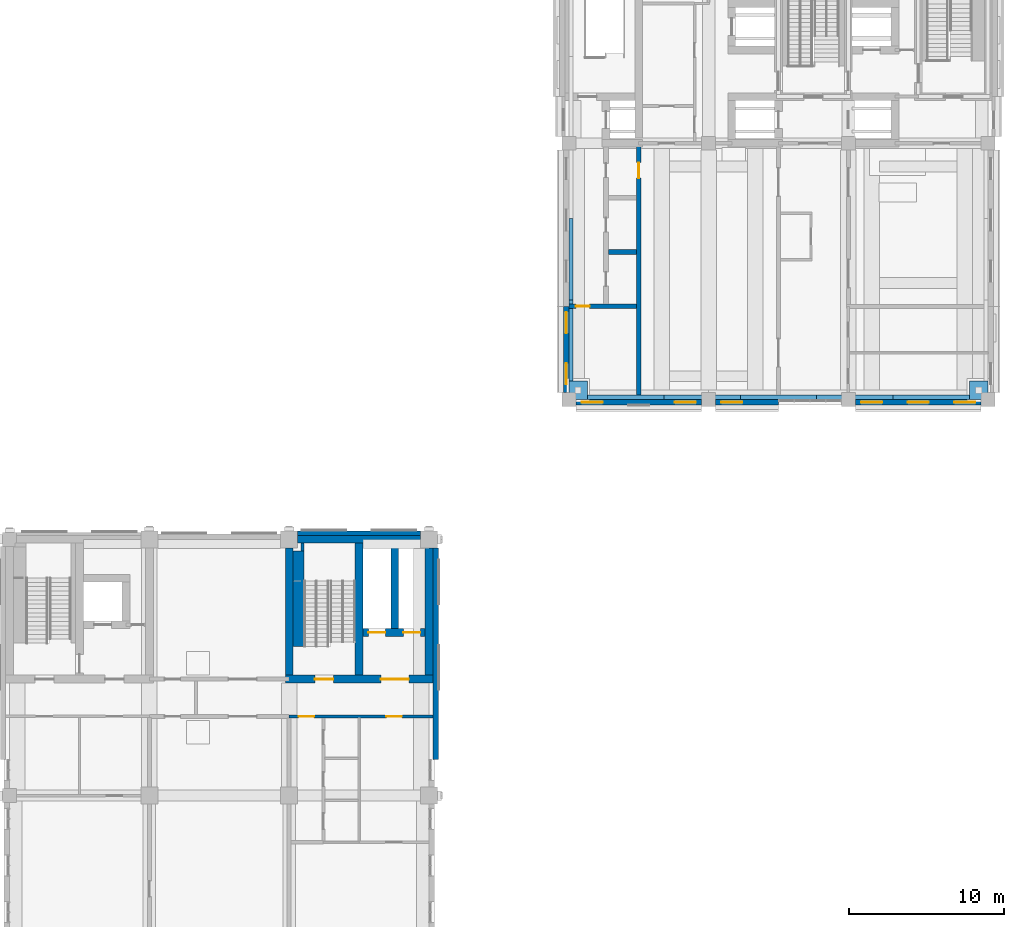
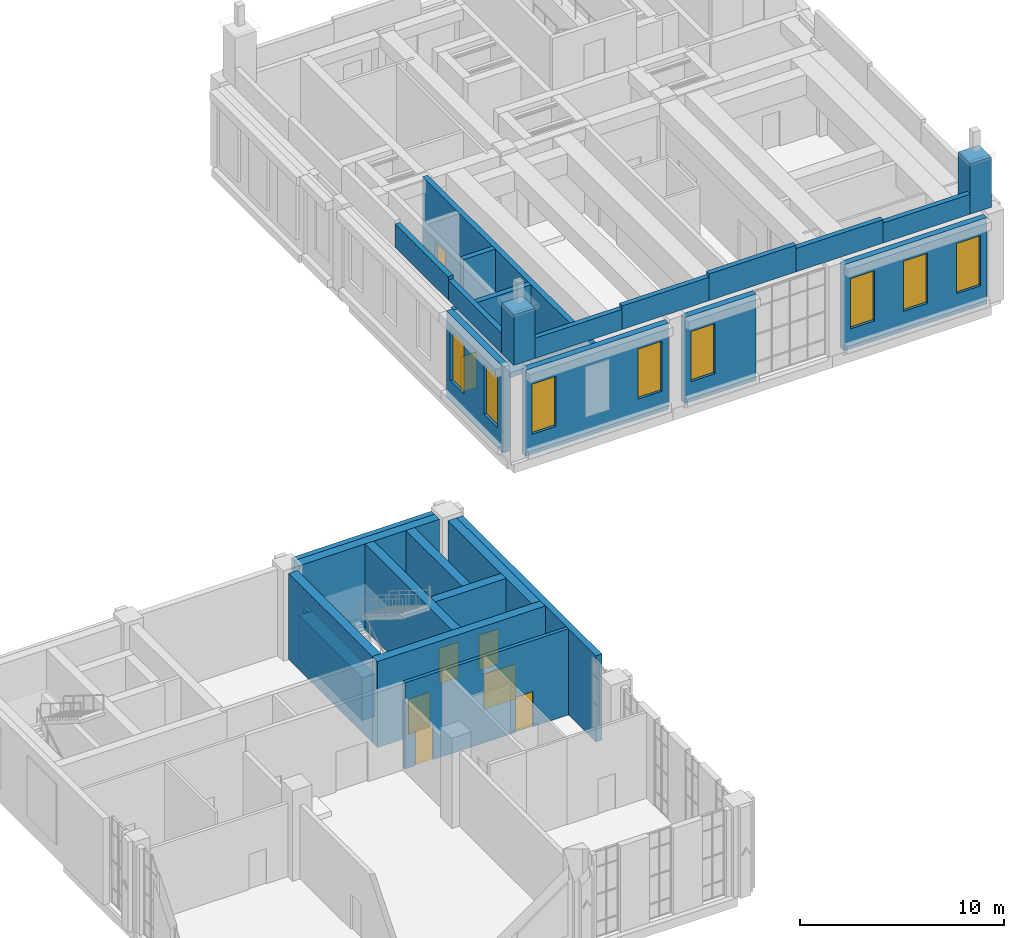
# One storey, part 14 of 22: 28 walls, 8 doors, 8 windows, 16 openings.
"""IFC4 building model written with IfcOpenShell, lengths in metres."""

import ifcopenshell
import ifcopenshell.guid

model = None  # the IFC model being written
_history = None  # IfcOwnerHistory: only IFC2X3 demands one
_inside = {}  # id of a spatial element -> (the spatial element, [elements in it])
_under = {}  # id of a project, library or spatial element -> (it, [spatial elements below it])
_declared = {}  # id of a project -> (the project, [libraries it declares])
_typed = {}  # id of a type object -> (the type object, [elements of that type])
_made_of = {}  # id of a material, layer set ... -> (it, [elements and type objects made of it])


def new_model(schema):
    """Start an empty IFC model of exactly this schema.

    Asked for "IFC4X3", IfcOpenShell would pick the latest addendum, in which some entities
    have other attributes; the version numbers below select the first issue.
    IFC2X3 requires an IfcOwnerHistory on every rooted entity: one is made here for all.
    """
    global model, _history
    if schema == "IFC4X3":
        model = ifcopenshell.file(schema_version=(4, 3, 0, 0))
    else:
        model = ifcopenshell.file(schema=schema)
    _inside.clear()
    _under.clear()
    _declared.clear()
    _typed.clear()
    _made_of.clear()
    _history = None
    if model.schema == "IFC2X3":
        org = make("IfcOrganization", Name="unknown")
        user = make(
            "IfcPersonAndOrganization",
            ThePerson=make("IfcPerson", FamilyName="unknown"),
            TheOrganization=org,
        )
        app = make(
            "IfcApplication",
            ApplicationDeveloper=org,
            Version="unknown",
            ApplicationFullName="unknown",
            ApplicationIdentifier="unknown",
        )
        _history = make(
            "IfcOwnerHistory",
            OwningUser=user,
            OwningApplication=app,
            ChangeAction="ADDED",
            CreationDate=0,
        )
    return model


def make(cls, **values):
    """One entity of the class cls with the attributes given. An attribute that is None is left unset."""
    return model.create_entity(
        cls, **{name: value for name, value in values.items() if value is not None}
    )


def rooted(cls, **values):
    """An entity with a GlobalId (a new one), such as an element, a storey or a relation."""
    return make(cls, GlobalId=ifcopenshell.guid.new(), OwnerHistory=_history, **values)


def si_unit(unit_type, name, prefix=None):
    """IfcSIUnit, for example si_unit("LENGTHUNIT", "METRE", prefix="MILLI")."""
    return make("IfcSIUnit", UnitType=unit_type, Prefix=prefix, Name=name)


def assignment(units):
    """IfcUnitAssignment: the units of a project."""
    return None if units is None else make("IfcUnitAssignment", Units=units)


def point(xyz):
    """IfcCartesianPoint."""
    return None if xyz is None else make("IfcCartesianPoint", Coordinates=xyz)


def direction(xyz):
    """IfcDirection."""
    return None if xyz is None else make("IfcDirection", DirectionRatios=xyz)


def frame(location, z_axis=None, x_axis=None):
    """IfcAxis2Placement3D, a coordinate frame: its origin and axes. An axis left out is left unset."""
    return make(
        "IfcAxis2Placement3D",
        Location=point(location),
        Axis=direction(z_axis),
        RefDirection=direction(x_axis),
    )


def frame_2d(location, x_axis=None):
    """IfcAxis2Placement2D, a coordinate frame in the plane: its origin and x axis."""
    return make(
        "IfcAxis2Placement2D", Location=point(location), RefDirection=direction(x_axis)
    )


def origin():
    """The frame at (0, 0, 0) with its axes left unset."""
    return frame((0.0, 0.0, 0.0))


def place(relative_to, where):
    """IfcLocalPlacement: puts the frame where relative to a parent placement (None: the world)."""
    return make(
        "IfcLocalPlacement", PlacementRelTo=relative_to, RelativePlacement=where
    )


def context(
    kind, dimensions, precision=None, world=None, true_north=None, identifier=None
):
    """IfcGeometricRepresentationContext, for example the 3D "Model" context."""
    return make(
        "IfcGeometricRepresentationContext",
        ContextIdentifier=identifier,
        ContextType=kind,
        CoordinateSpaceDimension=dimensions,
        Precision=precision,
        WorldCoordinateSystem=world,
        TrueNorth=true_north,
    )


def subcontext(parent, identifier, kind, view, scale=None):
    """IfcGeometricRepresentationSubContext, for example "Body" below "Model"."""
    return make(
        "IfcGeometricRepresentationSubContext",
        ContextIdentifier=identifier,
        ContextType=kind,
        ParentContext=parent,
        TargetScale=scale,
        TargetView=view,
    )


def project(units=None, contexts=None):
    """IfcProject with its units and contexts."""
    return rooted(
        "IfcProject",
        Name="project",
        RepresentationContexts=contexts,
        UnitsInContext=assignment(units),
    )


def spatial(cls, under=None, at=None, **own):
    """A site, building, storey or space (cls), placed at a placement, below another one or the project."""
    s = rooted(cls, ObjectPlacement=at, **own)
    if under is not None:
        _under.setdefault(under.id(), (under, []))[1].append(s)
    return s


def profile(cls, at=None, kind="AREA", **sizes):
    """A parametric profile (cls). Its sizes go by their IFC names, for example OverallWidth=200.0."""
    return make(cls, ProfileType=kind, Position=at, **sizes)


def rectangle(**sizes):
    """IfcRectangleProfileDef."""
    return profile("IfcRectangleProfileDef", **sizes)


def extrude(swept, where, along, depth):
    """IfcExtrudedAreaSolid: the profile swept, set in the frame where, extruded along a direction by depth."""
    return make(
        "IfcExtrudedAreaSolid",
        SweptArea=swept,
        Position=where,
        ExtrudedDirection=direction(along),
        Depth=depth,
    )


def shape(context_of_items, identifier, shape_type, items):
    """IfcShapeRepresentation: the items that make up one representation, for example the "Body"."""
    return make(
        "IfcShapeRepresentation",
        ContextOfItems=context_of_items,
        RepresentationIdentifier=identifier,
        RepresentationType=shape_type,
        Items=items,
    )


def material(Name=None, Category=None):
    """IfcMaterial."""
    return make("IfcMaterial", Name=Name, Category=Category)


def layer(
    of_material, thickness, ventilated=None, Name=None, Category=None, Priority=None
):
    """IfcMaterialLayer: one layer of a wall or slab, of a material (None: an air gap)."""
    return make(
        "IfcMaterialLayer",
        Material=of_material,
        LayerThickness=thickness,
        IsVentilated=ventilated,
        Name=Name,
        Category=Category,
        Priority=Priority,
    )


def layer_set(layers, Name=None):
    """IfcMaterialLayerSet."""
    return make("IfcMaterialLayerSet", MaterialLayers=layers, LayerSetName=Name)


def made_of(thing, what):
    """Note that an element or type object is made of a material, layer set ...; save() writes the relation."""
    if what is not None:
        _made_of.setdefault(what.id(), (what, []))[1].append(thing)
    return thing


def type_object(cls, material=None, **own):
    """A type object (cls), such as IfcWallType, which elements share."""
    return made_of(rooted(cls, **own), material)


def element(
    cls,
    number,
    at=None,
    inside=None,
    cuts=None,
    type_object=None,
    material=None,
    context=None,
    identifier="Body",
    shape_type=None,
    held_by="IfcProductDefinitionShape",
    body=None,
    shapes=None,
    **own,
):
    """One element of the class cls, such as IfcWall. Its Tag is "e" and its number.

    at: its placement. inside: the storey or other place that contains it. cuts: it is an
    opening in that element (IfcRelVoidsElement). A single representation is given by context,
    identifier, shape_type and body (its items); several are given by shapes. held_by: the class
    of the entity that holds the representations. save() writes the other relations.
    """
    e = rooted(cls, Tag="e%d" % number, ObjectPlacement=at, **own)
    if body is not None:
        shapes = [shape(context, identifier, shape_type, body)]
    if shapes is not None:
        e.Representation = make(held_by, Representations=shapes)
    if inside is not None:
        _inside.setdefault(inside.id(), (inside, []))[1].append(e)
    if cuts is not None:
        rooted(
            "IfcRelVoidsElement", RelatingBuildingElement=cuts, RelatedOpeningElement=e
        )
    if type_object is not None:
        _typed.setdefault(type_object.id(), (type_object, []))[1].append(e)
    return made_of(e, material)


def fill(opening, filler):
    """IfcRelFillsElement: the door or window that sits in an opening."""
    return rooted(
        "IfcRelFillsElement",
        RelatingOpeningElement=opening,
        RelatedBuildingElement=filler,
    )


def aggregate(whole, parts):
    """IfcRelAggregates: a whole, such as a stair, and the parts it consists of."""
    return rooted("IfcRelAggregates", RelatingObject=whole, RelatedObjects=parts)


def save(model, path):
    """Write the relations noted so far, then the file.

    IfcRelAggregates (storeys below a building ...), IfcRelContainedInSpatialStructure (elements
    in a storey), IfcRelDefinesByType, IfcRelAssociatesMaterial and IfcRelDeclares: one each for
    every whole, place, type object, material and project.
    """
    for whole, parts in _under.values():
        aggregate(whole, parts)
    for where, things in _inside.values():
        rooted(
            "IfcRelContainedInSpatialStructure",
            RelatedElements=things,
            RelatingStructure=where,
        )
    for kind, things in _typed.values():
        rooted("IfcRelDefinesByType", RelatedObjects=things, RelatingType=kind)
    for what, things in _made_of.values():
        rooted("IfcRelAssociatesMaterial", RelatedObjects=things, RelatingMaterial=what)
    for by, libraries in _declared.values():
        rooted("IfcRelDeclares", RelatingContext=by, RelatedDefinitions=libraries)
    model.write(path)


model = new_model("IFC4")

# Units and contexts
model_context = context("Model", 3, precision=1e-05, world=origin(), true_north=direction((0.0, 1.0)))
body_context = subcontext(model_context, "Body", "Model", "MODEL_VIEW")
ifc_project = project(units=[si_unit("LENGTHUNIT", "METRE"), si_unit("AREAUNIT", "SQUARE_METRE"), si_unit("VOLUMEUNIT", "CUBIC_METRE"), si_unit("PLANEANGLEUNIT", "RADIAN"), si_unit("MASSUNIT", "GRAM", prefix="KILO")], contexts=[model_context])

# Site, building, storey
site_placement = place(None, origin())
site = spatial("IfcSite", under=ifc_project, at=site_placement, CompositionType="ELEMENT")
building_placement = place(site_placement, origin())
building = spatial("IfcBuilding", under=site, at=building_placement, Name="Aurelan Courthouse", CompositionType="ELEMENT")
storey_placement = place(building_placement, frame((0.0, 0.0, 39.0)))
storey = spatial("IfcBuildingStorey", under=building, at=storey_placement, Name="L07", CompositionType="ELEMENT", Elevation=39.0)

# Walls
ifc_material_1 = material(Name="Limestone cladding", Category="masonry")
ifc_layer_1 = layer(ifc_material_1, 0.280029296875)
ifc_layer_set_1 = layer_set([ifc_layer_1], Name="Limestone cladding")
wall_type_1 = type_object("IfcWallType", Name="CR2 crown parapet 280 x 1200", PredefinedType="PARAPET", material=ifc_layer_set_1)
for number, where, z_axis, x_axis, name in (
    (1, (37.199951171875, 37.639892578125, 5.39990234375), (0.0, 0.0, 1.0), (1.0, 0.0, 0.0), "Crown parapet CR2-PA01"),
    (2, (56.8798828125, 37.639892578125, 5.39990234375), (0.0, 0.0, 1.0), (1.0, 0.0, 0.0), "Crown parapet CR2-PA05"),
):
    element("IfcWall", number, at=place(storey_placement, frame(where, z_axis=z_axis, x_axis=x_axis)), inside=storey, type_object=wall_type_1, Name=name, PredefinedType="PARAPET", context=body_context, shape_type="SweptSolid", body=[
        extrude(rectangle(XDim=4.920166015625, YDim=0.280029296875, at=frame_2d((2.4599609375, 0.0))), origin(), (0.0, 0.0, 1.0), 1.2001953125),
    ])
wall_1_placement = place(storey_placement, frame((36.139892578125, 38.699951171875, 5.39990234375), z_axis=(0.0, 0.0, 1.0), x_axis=(0.0, 1.0, 0.0)))
element("IfcWall", 3, at=wall_1_placement, inside=storey, type_object=wall_type_1, Name="Crown parapet CR2-PA11", PredefinedType="PARAPET", context=body_context, shape_type="SweptSolid", body=[
    extrude(rectangle(XDim=5.219970703125, YDim=0.280029296875, at=frame_2d((2.60986328125, 0.0))), origin(), (0.0, 0.0, 1.0), 1.2001953125),
])
ifc_layer_2 = layer(ifc_material_1, 0.280029296875)
ifc_layer_set_2 = layer_set([ifc_layer_2], Name="Limestone cladding")
wall_type_2 = type_object("IfcWallType", Name="CR2 crown parapet 280 x 1400", PredefinedType="PARAPET", material=ifc_layer_set_2)
for number, where, z_axis, x_axis, name in (
    (4, (42.1201171875, 37.639892578125, 5.39990234375), (0.0, 0.0, 1.0), (1.0, 0.0, 0.0), "Crown parapet CR2-PA02"),
    (5, (51.9599609375, 37.639892578125, 5.39990234375), (0.0, 0.0, 1.0), (1.0, 0.0, 0.0), "Crown parapet CR2-PA04"),
):
    element("IfcWall", number, at=place(storey_placement, frame(where, z_axis=z_axis, x_axis=x_axis)), inside=storey, type_object=wall_type_2, Name=name, PredefinedType="PARAPET", context=body_context, shape_type="SweptSolid", body=[
        extrude(rectangle(XDim=4.919921875, YDim=0.280029296875, at=frame_2d((2.4599609375, 0.0))), origin(), (0.0, 0.0, 1.0), 1.400146484375),
    ])
wall_2_placement = place(storey_placement, frame((36.139892578125, 43.919921875, 5.39990234375), z_axis=(0.0, 0.0, 1.0), x_axis=(0.0, 1.0, 0.0)))
element("IfcWall", 6, at=wall_2_placement, inside=storey, type_object=wall_type_2, Name="Crown parapet CR2-PA12", PredefinedType="PARAPET", context=body_context, shape_type="SweptSolid", body=[
    extrude(rectangle(XDim=5.219970703125, YDim=0.280029296875, at=frame_2d((2.60986328125, 0.0))), origin(), (0.0, 0.0, 1.0), 1.400146484375),
])
ifc_layer_3 = layer(ifc_material_1, 0.280029296875)
ifc_layer_set_3 = layer_set([ifc_layer_3], Name="Limestone cladding")
wall_type_3 = type_object("IfcWallType", Name="CR2 crown parapet 280 x 1600", PredefinedType="PARAPET", material=ifc_layer_set_3)
wall_3_placement = place(storey_placement, frame((47.0400390625, 37.639892578125, 5.39990234375), z_axis=(0.0, 0.0, 1.0), x_axis=(1.0, 0.0, 0.0)))
element("IfcWall", 7, at=wall_3_placement, inside=storey, type_object=wall_type_3, Name="Crown parapet CR2-PA03", PredefinedType="PARAPET", context=body_context, shape_type="SweptSolid", body=[
    extrude(rectangle(XDim=4.919921875, YDim=0.280029296875, at=frame_2d((2.4599609375, 0.0))), origin(), (0.0, 0.0, 1.0), 1.60009765625),
])

# Wall, openings, windows
ifc_layer_4 = layer(ifc_material_1, 0.10009765625, Name="Facing")
ifc_material_2 = material(Name="Ventilated cavity")
ifc_layer_5 = layer(ifc_material_2, 0.02490234375, ventilated=True, Name="Ventilated cavity")
ifc_material_3 = material(Name="Mineral wool insulation")
ifc_layer_6 = layer(ifc_material_3, 0.050048828125, Name="Insulation")
ifc_material_4 = material(Name="Concrete C30", Category="concrete")
ifc_layer_7 = layer(ifc_material_4, 0.175048828125, Name="Structure")
ifc_layer_set_4 = layer_set([ifc_layer_4, ifc_layer_5, ifc_layer_6, ifc_layer_7], Name="Concrete C30")
wall_type_4 = type_object("IfcWallType", Name="Courtroom Block stone-faced wall 350", PredefinedType="SOLIDWALL", material=ifc_layer_set_4)
wall_4_placement = place(storey_placement, frame((36.449951171875, 37.324951171875, 0.0), z_axis=(0.0, 0.0, 1.0), x_axis=(1.0, 0.0, 0.0)))
wall_4 = element("IfcWall", 8, at=wall_4_placement, inside=storey, type_object=wall_type_4, Name="Facade wall FW-V2-L07-001", PredefinedType="SOLIDWALL", context=body_context, shape_type="SweptSolid", body=[
    extrude(rectangle(XDim=8.10009765625, YDim=0.35009765625, at=frame_2d((4.050048828125, 0.0))), origin(), (0.0, 0.0, 1.0), 5.14990234375),
])
opening_1_placement = place(wall_4_placement, frame((0.375, 0.0, 1.199951171875)))
opening_1 = element("IfcOpeningElement", 9, at=opening_1_placement, cuts=wall_4, Name="Opening WN-V2-L07-001", PredefinedType="OPENING", context=body_context, shape_type="SweptSolid", body=[
    extrude(rectangle(XDim=1.35009765625, YDim=3.0, at=frame_2d((0.675048828125, 1.5))), frame((0.0, 0.18505859375, 0.0), z_axis=(0.0, -1.0, 0.0), x_axis=(1.0, 0.0, 0.0)), (0.0, 0.0, 1.0), 0.3701171875),
])
opening_2_placement = place(wall_4_placement, frame((6.375, 0.0, 1.199951171875)))
opening_2 = element("IfcOpeningElement", 10, at=opening_2_placement, cuts=wall_4, Name="Opening WN-V2-L07-002", PredefinedType="OPENING", context=body_context, shape_type="SweptSolid", body=[
    extrude(rectangle(XDim=1.35009765625, YDim=3.0, at=frame_2d((0.675048828125, 1.5))), frame((0.0, 0.18505859375, 0.0), z_axis=(0.0, -1.0, 0.0), x_axis=(1.0, 0.0, 0.0)), (0.0, 0.0, 1.0), 0.3701171875),
])
ifc_material_5 = material(Name="Bronze-finished aluminium and glass", Category="aluminium")
window_type = type_object("IfcWindowType", Name="Courtroom Block glazed slot 1350 x 3000, sill 1200", PartitioningType="SINGLE_PANEL", PredefinedType="WINDOW", material=ifc_material_5)
window_1_placement = place(opening_1_placement, origin())
window_1 = element("IfcWindow", 11, at=window_1_placement, inside=storey, type_object=window_type, Name="Glazed slot WN-V2-L07-001", OverallHeight=3.0, OverallWidth=1.35009765625, PartitioningType="SINGLE_PANEL", PredefinedType="WINDOW", context=body_context, shape_type="SweptSolid", body=[
    extrude(rectangle(XDim=1.35009765625, YDim=3.0, at=frame_2d((0.675048828125, 1.5))), frame((0.0, 0.030029296875, 0.0), z_axis=(0.0, -1.0, 0.0), x_axis=(1.0, 0.0, 0.0)), (0.0, 0.0, 1.0), 0.06005859375),
])
fill(opening_1, window_1)
window_2_placement = place(opening_2_placement, origin())
window_2 = element("IfcWindow", 12, at=window_2_placement, inside=storey, type_object=window_type, Name="Glazed slot WN-V2-L07-002", OverallHeight=3.0, OverallWidth=1.35009765625, PartitioningType="SINGLE_PANEL", PredefinedType="WINDOW", context=body_context, shape_type="SweptSolid", body=[
    extrude(rectangle(XDim=1.35009765625, YDim=3.0, at=frame_2d((0.675048828125, 1.5))), frame((0.0, 0.030029296875, 0.0), z_axis=(0.0, -1.0, 0.0), x_axis=(1.0, 0.0, 0.0)), (0.0, 0.0, 1.0), 0.06005859375),
])
fill(opening_2, window_2)

# Wall, opening, window
wall_5_placement = place(storey_placement, frame((45.449951171875, 37.324951171875, 0.0), z_axis=(0.0, 0.0, 1.0), x_axis=(1.0, 0.0, 0.0)))
wall_5 = element("IfcWall", 13, at=wall_5_placement, inside=storey, type_object=wall_type_4, Name="Facade wall FW-V2-L07-002", PredefinedType="SOLIDWALL", context=body_context, shape_type="SweptSolid", body=[
    extrude(rectangle(XDim=4.050048828125, YDim=0.35009765625, at=frame_2d((2.02490234375, 0.0))), origin(), (0.0, 0.0, 1.0), 5.14990234375),
])
opening_3_placement = place(wall_5_placement, frame((0.375, 0.0, 1.199951171875)))
opening_3 = element("IfcOpeningElement", 14, at=opening_3_placement, cuts=wall_5, Name="Opening WN-V2-L07-003", PredefinedType="OPENING", context=body_context, shape_type="SweptSolid", body=[
    extrude(rectangle(XDim=1.35009765625, YDim=3.0, at=frame_2d((0.675048828125, 1.5))), frame((0.0, 0.18505859375, 0.0), z_axis=(0.0, -1.0, 0.0), x_axis=(1.0, 0.0, 0.0)), (0.0, 0.0, 1.0), 0.3701171875),
])
window_3_placement = place(opening_3_placement, origin())
window_3 = element("IfcWindow", 15, at=window_3_placement, inside=storey, type_object=window_type, Name="Glazed slot WN-V2-L07-003", OverallHeight=3.0, OverallWidth=1.35009765625, PartitioningType="SINGLE_PANEL", PredefinedType="WINDOW", context=body_context, shape_type="SweptSolid", body=[
    extrude(rectangle(XDim=1.35009765625, YDim=3.0, at=frame_2d((0.675048828125, 1.5))), frame((0.0, 0.030029296875, 0.0), z_axis=(0.0, -1.0, 0.0), x_axis=(1.0, 0.0, 0.0)), (0.0, 0.0, 1.0), 0.06005859375),
])
fill(opening_3, window_3)

# Wall, openings, windows
wall_6_placement = place(storey_placement, frame((54.449951171875, 37.324951171875, 0.0), z_axis=(0.0, 0.0, 1.0), x_axis=(1.0, 0.0, 0.0)))
wall_6 = element("IfcWall", 16, at=wall_6_placement, inside=storey, type_object=wall_type_4, Name="Facade wall FW-V2-L07-003", PredefinedType="SOLIDWALL", context=body_context, shape_type="SweptSolid", body=[
    extrude(rectangle(XDim=8.10009765625, YDim=0.35009765625, at=frame_2d((4.050048828125, 0.0))), origin(), (0.0, 0.0, 1.0), 5.14990234375),
])
opening_4_placement = place(wall_6_placement, frame((0.375, 0.0, 1.199951171875)))
opening_4 = element("IfcOpeningElement", 17, at=opening_4_placement, cuts=wall_6, Name="Opening WN-V2-L07-004", PredefinedType="OPENING", context=body_context, shape_type="SweptSolid", body=[
    extrude(rectangle(XDim=1.35009765625, YDim=3.0, at=frame_2d((0.675048828125, 1.5))), frame((0.0, 0.18505859375, 0.0), z_axis=(0.0, -1.0, 0.0), x_axis=(1.0, 0.0, 0.0)), (0.0, 0.0, 1.0), 0.3701171875),
])
opening_5_placement = place(wall_6_placement, frame((3.375, 0.0, 1.199951171875)))
opening_5 = element("IfcOpeningElement", 18, at=opening_5_placement, cuts=wall_6, Name="Opening WN-V2-L07-005", PredefinedType="OPENING", context=body_context, shape_type="SweptSolid", body=[
    extrude(rectangle(XDim=1.35009765625, YDim=3.0, at=frame_2d((0.675048828125, 1.5))), frame((0.0, 0.18505859375, 0.0), z_axis=(0.0, -1.0, 0.0), x_axis=(1.0, 0.0, 0.0)), (0.0, 0.0, 1.0), 0.3701171875),
])
opening_6_placement = place(wall_6_placement, frame((6.375, 0.0, 1.199951171875)))
opening_6 = element("IfcOpeningElement", 19, at=opening_6_placement, cuts=wall_6, Name="Opening WN-V2-L07-006", PredefinedType="OPENING", context=body_context, shape_type="SweptSolid", body=[
    extrude(rectangle(XDim=1.35009765625, YDim=3.0, at=frame_2d((0.675048828125, 1.5))), frame((0.0, 0.18505859375, 0.0), z_axis=(0.0, -1.0, 0.0), x_axis=(1.0, 0.0, 0.0)), (0.0, 0.0, 1.0), 0.3701171875),
])
window_4_placement = place(opening_4_placement, origin())
window_4 = element("IfcWindow", 20, at=window_4_placement, inside=storey, type_object=window_type, Name="Glazed slot WN-V2-L07-004", OverallHeight=3.0, OverallWidth=1.35009765625, PartitioningType="SINGLE_PANEL", PredefinedType="WINDOW", context=body_context, shape_type="SweptSolid", body=[
    extrude(rectangle(XDim=1.35009765625, YDim=3.0, at=frame_2d((0.675048828125, 1.5))), frame((0.0, 0.030029296875, 0.0), z_axis=(0.0, -1.0, 0.0), x_axis=(1.0, 0.0, 0.0)), (0.0, 0.0, 1.0), 0.06005859375),
])
fill(opening_4, window_4)
window_5_placement = place(opening_5_placement, origin())
window_5 = element("IfcWindow", 21, at=window_5_placement, inside=storey, type_object=window_type, Name="Glazed slot WN-V2-L07-005", OverallHeight=3.0, OverallWidth=1.35009765625, PartitioningType="SINGLE_PANEL", PredefinedType="WINDOW", context=body_context, shape_type="SweptSolid", body=[
    extrude(rectangle(XDim=1.35009765625, YDim=3.0, at=frame_2d((0.675048828125, 1.5))), frame((0.0, 0.030029296875, 0.0), z_axis=(0.0, -1.0, 0.0), x_axis=(1.0, 0.0, 0.0)), (0.0, 0.0, 1.0), 0.06005859375),
])
fill(opening_5, window_5)
window_6_placement = place(opening_6_placement, origin())
window_6 = element("IfcWindow", 22, at=window_6_placement, inside=storey, type_object=window_type, Name="Glazed slot WN-V2-L07-006", OverallHeight=3.0, OverallWidth=1.35009765625, PartitioningType="SINGLE_PANEL", PredefinedType="WINDOW", context=body_context, shape_type="SweptSolid", body=[
    extrude(rectangle(XDim=1.35009765625, YDim=3.0, at=frame_2d((0.675048828125, 1.5))), frame((0.0, 0.030029296875, 0.0), z_axis=(0.0, -1.0, 0.0), x_axis=(1.0, 0.0, 0.0)), (0.0, 0.0, 1.0), 0.06005859375),
])
fill(opening_6, window_6)

wall_7_placement = place(storey_placement, frame((35.824951171875, 37.949951171875, 0.0), z_axis=(0.0, 0.0, 1.0), x_axis=(0.0, 1.0, 0.0)))
wall_7 = element("IfcWall", 23, at=wall_7_placement, inside=storey, type_object=wall_type_4, Name="Facade wall FW-V2-L07-011", PredefinedType="SOLIDWALL", context=body_context, shape_type="SweptSolid", body=[
    extrude(rectangle(XDim=5.550048828125, YDim=0.35009765625, at=frame_2d((2.77490234375, 0.0))), origin(), (0.0, 0.0, 1.0), 5.14990234375),
])
opening_7_placement = place(wall_7_placement, frame((0.52490234375, 0.0, 1.199951171875)))
opening_7 = element("IfcOpeningElement", 24, at=opening_7_placement, cuts=wall_7, Name="Opening WN-V2-L07-014", PredefinedType="OPENING", context=body_context, shape_type="SweptSolid", body=[
    extrude(rectangle(XDim=1.35009765625, YDim=3.0, at=frame_2d((0.675048828125, 1.5))), frame((0.0, 0.18505859375, 0.0), z_axis=(0.0, -1.0, 0.0), x_axis=(1.0, 0.0, 0.0)), (0.0, 0.0, 1.0), 0.3701171875),
])
opening_8_placement = place(wall_7_placement, frame((3.824951171875, 0.0, 1.199951171875)))
opening_8 = element("IfcOpeningElement", 25, at=opening_8_placement, cuts=wall_7, Name="Opening WN-V2-L07-015", PredefinedType="OPENING", context=body_context, shape_type="SweptSolid", body=[
    extrude(rectangle(XDim=1.35009765625, YDim=3.0, at=frame_2d((0.675048828125, 1.5))), frame((0.0, 0.18505859375, 0.0), z_axis=(0.0, -1.0, 0.0), x_axis=(1.0, 0.0, 0.0)), (0.0, 0.0, 1.0), 0.3701171875),
])
window_7_placement = place(opening_7_placement, origin())
window_7 = element("IfcWindow", 26, at=window_7_placement, inside=storey, type_object=window_type, Name="Glazed slot WN-V2-L07-014", OverallHeight=3.0, OverallWidth=1.35009765625, PartitioningType="SINGLE_PANEL", PredefinedType="WINDOW", context=body_context, shape_type="SweptSolid", body=[
    extrude(rectangle(XDim=1.35009765625, YDim=3.0, at=frame_2d((0.675048828125, 1.5))), frame((0.0, 0.030029296875, 0.0), z_axis=(0.0, -1.0, 0.0), x_axis=(1.0, 0.0, 0.0)), (0.0, 0.0, 1.0), 0.06005859375),
])
fill(opening_7, window_7)
window_8_placement = place(opening_8_placement, origin())
window_8 = element("IfcWindow", 27, at=window_8_placement, inside=storey, type_object=window_type, Name="Glazed slot WN-V2-L07-015", OverallHeight=3.0, OverallWidth=1.35009765625, PartitioningType="SINGLE_PANEL", PredefinedType="WINDOW", context=body_context, shape_type="SweptSolid", body=[
    extrude(rectangle(XDim=1.35009765625, YDim=3.0, at=frame_2d((0.675048828125, 1.5))), frame((0.0, 0.030029296875, 0.0), z_axis=(0.0, -1.0, 0.0), x_axis=(1.0, 0.0, 0.0)), (0.0, 0.0, 1.0), 0.06005859375),
])
fill(opening_8, window_8)

# Walls
ifc_layer_8 = layer(ifc_material_1, 0.0849609375, Name="Facing")
ifc_layer_9 = layer(ifc_material_2, 0.02490234375, ventilated=True, Name="Ventilated cavity")
ifc_layer_10 = layer(ifc_material_3, 0.044921875, Name="Insulation")
ifc_layer_11 = layer(ifc_material_4, 0.14501953125, Name="Structure")
ifc_layer_set_5 = layer_set([ifc_layer_8, ifc_layer_9, ifc_layer_10, ifc_layer_11], Name="Concrete C30")
wall_type_5 = type_object("IfcWallType", Name="Courts' Floors stone-faced wall 300", PredefinedType="SOLIDWALL", material=ifc_layer_set_5)
wall_8_placement = place(storey_placement, frame((18.550048828125, 28.89990234375, 0.0), z_axis=(0.0, 0.0, 1.0), x_axis=(1.0, 0.0, 0.0)))
element("IfcWall", 28, at=wall_8_placement, inside=storey, type_object=wall_type_5, Name="Facade wall FW-V5-L07-012", PredefinedType="SOLIDWALL", context=body_context, shape_type="SweptSolid", body=[
    extrude(rectangle(XDim=7.89990234375, YDim=0.300048828125, at=frame_2d((3.949951171875, 0.0))), origin(), (0.0, 0.0, 1.0), 5.14990234375),
])
ifc_layer_12 = layer(ifc_material_1, 0.10009765625, Name="Facing")
ifc_layer_13 = layer(ifc_material_2, 0.02490234375, ventilated=True, Name="Ventilated cavity")
ifc_layer_14 = layer(ifc_material_3, 0.050048828125, Name="Insulation")
ifc_layer_15 = layer(ifc_material_4, 0.175048828125, Name="Structure")
ifc_layer_set_6 = layer_set([ifc_layer_12, ifc_layer_13, ifc_layer_14, ifc_layer_15], Name="Concrete C30")
wall_type_6 = type_object("IfcWallType", Name="Courts' Floors stone-faced wall 350", PredefinedType="SOLIDWALL", material=ifc_layer_set_6)
wall_9_placement = place(storey_placement, frame((27.425048828125, 14.324951171875, 0.0), z_axis=(0.0, 0.0, 1.0), x_axis=(0.0, 1.0, 0.0)))
element("IfcWall", 29, at=wall_9_placement, inside=storey, type_object=wall_type_6, Name="Facade wall FW-V5-L07-019", PredefinedType="SOLIDWALL", context=body_context, shape_type="SweptSolid", body=[
    extrude(rectangle(XDim=13.625, YDim=0.35009765625, at=frame_2d((6.8125, 0.0))), origin(), (0.0, 0.0, 1.0), 5.14990234375),
])
ifc_layer_16 = layer(ifc_material_1, 1.199951171875)
ifc_layer_set_7 = layer_set([ifc_layer_16], Name="Limestone cladding")
wall_type_7 = type_object("IfcWallType", Name="Crown pylon 1200 x 3000", PredefinedType="SOLIDWALL", material=ifc_layer_set_7)
for number, where, z_axis, x_axis, name in (
    (30, (36.0, 38.10009765625, 5.39990234375), (0.0, 0.0, 1.0), (1.0, 0.0, 0.0), "Crown pylon CR2-PY-SW"),
    (31, (61.800048828125, 38.10009765625, 5.39990234375), (0.0, 0.0, 1.0), (1.0, 0.0, 0.0), "Crown pylon CR2-PY-SE"),
):
    element("IfcWall", number, at=place(storey_placement, frame(where, z_axis=z_axis, x_axis=x_axis)), inside=storey, type_object=wall_type_7, Name=name, PredefinedType="SOLIDWALL", context=body_context, shape_type="SweptSolid", body=[
        extrude(rectangle(XDim=1.199951171875, YDim=1.199951171875, at=frame_2d((0.60009765625, 0.0))), origin(), (0.0, 0.0, 1.0), 3.0),
    ])

# Wall, opening, door
ifc_layer_17 = layer(ifc_material_4, 0.300048828125)
ifc_layer_set_8 = layer_set([ifc_layer_17], Name="Concrete C30")
wall_type_8 = type_object("IfcWallType", Name="Custody wall 300 EI 120", PredefinedType="PARTITIONING", material=ifc_layer_set_8)
wall_10_placement = place(storey_placement, frame((36.0, 43.5, 0.0), z_axis=(0.0, 0.0, 1.0), x_axis=(1.0, 0.0, 0.0)))
wall_10 = element("IfcWall", 32, at=wall_10_placement, inside=storey, type_object=wall_type_8, Name="Custody wall L07-013", PredefinedType="PARTITIONING", context=body_context, shape_type="SweptSolid", body=[
    extrude(rectangle(XDim=4.35009765625, YDim=0.300048828125, at=frame_2d((2.175048828125, 0.0))), origin(), (0.0, 0.0, 1.0), 5.14990234375),
])
opening_9_placement = place(wall_10_placement, frame((1.349853515625, 0.0, 0.0), z_axis=(0.0, 0.0, 1.0), x_axis=(-1.0, 0.0, 0.0)))
opening_9 = element("IfcOpeningElement", 33, at=opening_9_placement, cuts=wall_10, Name="Opening D-L07-016", PredefinedType="OPENING", context=body_context, shape_type="SweptSolid", body=[
    extrude(rectangle(XDim=0.89990234375, YDim=2.10009765625, at=frame_2d((0.449951171875, 1.050048828125))), frame((0.0, 0.159912109375, 0.0), z_axis=(0.0, -1.0, 0.0), x_axis=(1.0, 0.0, 0.0)), (0.0, 0.0, 1.0), 0.320068359375),
])
ifc_material_6 = material(Name="Steel", Category="steel")
door_type_1 = type_object("IfcDoorType", Name="Single door 900 x 2100 FD90", OperationType="SINGLE_SWING_LEFT", PredefinedType="DOOR", material=ifc_material_6)
door_1_placement = place(opening_9_placement, origin())
door_1 = element("IfcDoor", 34, at=door_1_placement, inside=storey, type_object=door_type_1, Name="Single door D-L07-016", OperationType="SINGLE_SWING_RIGHT", OverallHeight=2.10009765625, OverallWidth=0.89990234375, PredefinedType="DOOR", context=body_context, shape_type="SweptSolid", body=[
    extrude(rectangle(XDim=0.89990234375, YDim=2.10009765625, at=frame_2d((0.449951171875, 1.050048828125))), frame((0.0, 0.02490234375, 0.0), z_axis=(0.0, -1.0, 0.0), x_axis=(1.0, 0.0, 0.0)), (0.0, 0.0, 1.0), 0.050048828125),
])
fill(opening_9, door_1)

# Wall
wall_11_placement = place(storey_placement, frame((38.550048828125, 47.0, 0.0), z_axis=(0.0, 0.0, 1.0), x_axis=(1.0, 0.0, 0.0)))
element("IfcWall", 35, at=wall_11_placement, inside=storey, type_object=wall_type_8, Name="Custody wall L07-016", PredefinedType="PARTITIONING", context=body_context, shape_type="SweptSolid", body=[
    extrude(rectangle(XDim=1.800048828125, YDim=0.300048828125, at=frame_2d((0.89990234375, 0.0))), origin(), (0.0, 0.0, 1.0), 5.14990234375),
])

# Wall, opening, door
wall_12_placement = place(storey_placement, frame((40.5, 37.5, 0.0), z_axis=(0.0, 0.0, 1.0), x_axis=(0.0, 1.0, 0.0)))
wall_12 = element("IfcWall", 36, at=wall_12_placement, inside=storey, type_object=wall_type_8, Name="Custody wall L07-037", PredefinedType="PARTITIONING", context=body_context, shape_type="SweptSolid", body=[
    extrude(rectangle(XDim=16.5, YDim=0.300048828125, at=frame_2d((8.25, 0.0))), origin(), (0.0, 0.0, 1.0), 5.14990234375),
])
opening_10_placement = place(wall_12_placement, frame((14.25, 0.0, 0.0)))
opening_10 = element("IfcOpeningElement", 37, at=opening_10_placement, cuts=wall_12, Name="Opening D-L07-020", PredefinedType="OPENING", context=body_context, shape_type="SweptSolid", body=[
    extrude(rectangle(XDim=1.0, YDim=2.0, at=frame_2d((0.5, 1.0))), frame((0.0, 0.159912109375, 0.0), z_axis=(0.0, -1.0, 0.0), x_axis=(1.0, 0.0, 0.0)), (0.0, 0.0, 1.0), 0.320068359375),
])
door_type_2 = type_object("IfcDoorType", Name="Single door 1000 x 2000 FD90", OperationType="SINGLE_SWING_LEFT", PredefinedType="DOOR", material=ifc_material_6)
door_2_placement = place(opening_10_placement, origin())
door_2 = element("IfcDoor", 38, at=door_2_placement, inside=storey, type_object=door_type_2, Name="Single door D-L07-020", OperationType="SINGLE_SWING_LEFT", OverallHeight=2.0, OverallWidth=1.0, PredefinedType="DOOR", context=body_context, shape_type="SweptSolid", body=[
    extrude(rectangle(XDim=1.0, YDim=2.0, at=frame_2d((0.5, 1.0))), frame((0.0, 0.02490234375, 0.0), z_axis=(0.0, -1.0, 0.0), x_axis=(1.0, 0.0, 0.0)), (0.0, 0.0, 1.0), 0.050048828125),
])
fill(opening_10, door_2)

# Wall, openings, doors
ifc_material_7 = material(Name="Masonry block", Category="masonry")
ifc_layer_18 = layer(ifc_material_7, 0.199951171875)
ifc_layer_set_9 = layer_set([ifc_layer_18], Name="Masonry block")
wall_type_9 = type_object("IfcWallType", Name="Lift lobby wall 200 EI 60", PredefinedType="PARTITIONING", material=ifc_layer_set_9)
wall_13_placement = place(storey_placement, frame((18.0, 17.10009765625, 0.0), z_axis=(0.0, 0.0, 1.0), x_axis=(1.0, 0.0, 0.0)))
wall_13 = element("IfcWall", 39, at=wall_13_placement, inside=storey, type_object=wall_type_9, Name="Lift lobby wall L07-009", PredefinedType="PARTITIONING", context=body_context, shape_type="SweptSolid", body=[
    extrude(rectangle(XDim=9.25, YDim=0.199951171875, at=frame_2d((4.625, 0.0))), origin(), (0.0, 0.0, 1.0), 5.14990234375),
])
opening_11_placement = place(wall_13_placement, frame((7.25, 0.0, 0.0), z_axis=(0.0, 0.0, 1.0), x_axis=(-1.0, 0.0, 0.0)))
opening_11 = element("IfcOpeningElement", 40, at=opening_11_placement, cuts=wall_13, Name="Opening D-L07-049", PredefinedType="OPENING", context=body_context, shape_type="SweptSolid", body=[
    extrude(rectangle(XDim=1.0, YDim=2.10009765625, at=frame_2d((0.5, 1.050048828125))), frame((0.0, 0.10986328125, 0.0), z_axis=(0.0, -1.0, 0.0), x_axis=(1.0, 0.0, 0.0)), (0.0, 0.0, 1.0), 0.219970703125),
])
opening_12_placement = place(wall_13_placement, frame((0.60009765625, 0.0, 0.0)))
opening_12 = element("IfcOpeningElement", 41, at=opening_12_placement, cuts=wall_13, Name="Opening D-L07-050", PredefinedType="OPENING", context=body_context, shape_type="SweptSolid", body=[
    extrude(rectangle(XDim=1.0, YDim=2.10009765625, at=frame_2d((0.5, 1.050048828125))), frame((0.0, 0.10986328125, 0.0), z_axis=(0.0, -1.0, 0.0), x_axis=(1.0, 0.0, 0.0)), (0.0, 0.0, 1.0), 0.219970703125),
])
door_type_3 = type_object("IfcDoorType", Name="Single door 1000 x 2100 FD60", OperationType="SINGLE_SWING_LEFT", PredefinedType="DOOR", material=ifc_material_6)
door_3_placement = place(opening_11_placement, origin())
door_3 = element("IfcDoor", 42, at=door_3_placement, inside=storey, type_object=door_type_3, Name="Single door D-L07-049", OperationType="SINGLE_SWING_RIGHT", OverallHeight=2.10009765625, OverallWidth=1.0, PredefinedType="DOOR", context=body_context, shape_type="SweptSolid", body=[
    extrude(rectangle(XDim=1.0, YDim=2.10009765625, at=frame_2d((0.5, 1.050048828125))), frame((0.0, 0.02490234375, 0.0), z_axis=(0.0, -1.0, 0.0), x_axis=(1.0, 0.0, 0.0)), (0.0, 0.0, 1.0), 0.050048828125),
])
fill(opening_11, door_3)
door_4_placement = place(opening_12_placement, origin())
door_4 = element("IfcDoor", 43, at=door_4_placement, inside=storey, type_object=door_type_3, Name="Single door D-L07-050", OperationType="SINGLE_SWING_LEFT", OverallHeight=2.10009765625, OverallWidth=1.0, PredefinedType="DOOR", context=body_context, shape_type="SweptSolid", body=[
    extrude(rectangle(XDim=1.0, YDim=2.10009765625, at=frame_2d((0.5, 1.050048828125))), frame((0.0, 0.02490234375, 0.0), z_axis=(0.0, -1.0, 0.0), x_axis=(1.0, 0.0, 0.0)), (0.0, 0.0, 1.0), 0.050048828125),
])
fill(opening_12, door_4)

ifc_material_8 = material(Name="Concrete C50", Category="concrete")
ifc_layer_19 = layer(ifc_material_8, 0.5)
ifc_layer_set_10 = layer_set([ifc_layer_19], Name="Concrete C50")
wall_type_10 = type_object("IfcWallType", Name="RC shear wall 500", PredefinedType="SHEAR", material=ifc_layer_set_10)
wall_14_placement = place(storey_placement, frame((17.75, 19.5, 0.0), z_axis=(0.0, 0.0, 1.0), x_axis=(1.0, 0.0, 0.0)))
wall_14 = element("IfcWall", 44, at=wall_14_placement, inside=storey, type_object=wall_type_10, Name="Core wall SW-L07-002", PredefinedType="SHEAR", context=body_context, shape_type="SweptSolid", body=[
    extrude(rectangle(XDim=9.5, YDim=0.5, at=frame_2d((4.75, 0.0))), origin(), (0.0, 0.0, 1.0), 5.14990234375),
])
opening_13_placement = place(wall_14_placement, frame((1.89990234375, 0.0, 0.0)))
opening_13 = element("IfcOpeningElement", 45, at=opening_13_placement, cuts=wall_14, Name="Opening D-L07-037", PredefinedType="OPENING", context=body_context, shape_type="SweptSolid", body=[
    extrude(rectangle(XDim=1.199951171875, YDim=2.10009765625, at=frame_2d((0.60009765625, 1.050048828125))), frame((0.0, 0.260009765625, 0.0), z_axis=(0.0, -1.0, 0.0), x_axis=(1.0, 0.0, 0.0)), (0.0, 0.0, 1.0), 0.52001953125),
])
opening_14_placement = place(wall_14_placement, frame((7.949951171875, 0.0, 0.0), z_axis=(0.0, 0.0, 1.0), x_axis=(-1.0, 0.0, 0.0)))
opening_14 = element("IfcOpeningElement", 46, at=opening_14_placement, cuts=wall_14, Name="Opening D-L07-038", PredefinedType="OPENING", context=body_context, shape_type="SweptSolid", body=[
    extrude(rectangle(XDim=1.800048828125, YDim=2.10009765625, at=frame_2d((0.89990234375, 1.050048828125))), frame((0.0, 0.260009765625, 0.0), z_axis=(0.0, -1.0, 0.0), x_axis=(1.0, 0.0, 0.0)), (0.0, 0.0, 1.0), 0.52001953125),
])
door_type_4 = type_object("IfcDoorType", Name="Double door 1800 x 2100 FD90", OperationType="DOUBLE_DOOR_SINGLE_SWING", PredefinedType="DOOR", material=ifc_material_6)
door_5_placement = place(opening_14_placement, origin())
door_5 = element("IfcDoor", 47, at=door_5_placement, inside=storey, type_object=door_type_4, Name="Double door D-L07-038", OperationType="DOUBLE_DOOR_SINGLE_SWING", OverallHeight=2.10009765625, OverallWidth=1.800048828125, PredefinedType="DOOR", context=body_context, shape_type="SweptSolid", body=[
    extrude(rectangle(XDim=1.800048828125, YDim=2.10009765625, at=frame_2d((0.89990234375, 1.050048828125))), frame((0.0, 0.02490234375, 0.0), z_axis=(0.0, -1.0, 0.0), x_axis=(1.0, 0.0, 0.0)), (0.0, 0.0, 1.0), 0.050048828125),
])
fill(opening_14, door_5)
door_type_5 = type_object("IfcDoorType", Name="Single door 1200 x 2100 FD90", OperationType="SINGLE_SWING_LEFT", PredefinedType="DOOR", material=ifc_material_6)
door_6_placement = place(opening_13_placement, origin())
door_6 = element("IfcDoor", 48, at=door_6_placement, inside=storey, type_object=door_type_5, Name="Single door D-L07-037", OperationType="SINGLE_SWING_RIGHT", OverallHeight=2.10009765625, OverallWidth=1.199951171875, PredefinedType="DOOR", context=body_context, shape_type="SweptSolid", body=[
    extrude(rectangle(XDim=1.199951171875, YDim=2.10009765625, at=frame_2d((0.60009765625, 1.050048828125))), frame((0.0, 0.02490234375, 0.0), z_axis=(0.0, -1.0, 0.0), x_axis=(1.0, 0.0, 0.0)), (0.0, 0.0, 1.0), 0.050048828125),
])
fill(opening_13, door_6)

# Walls
wall_15_placement = place(storey_placement, frame((18.0, 19.75, 0.0), z_axis=(0.0, 0.0, 1.0), x_axis=(0.0, 1.0, 0.0)))
element("IfcWall", 49, at=wall_15_placement, inside=storey, type_object=wall_type_10, Name="Core wall SW-L07-006", PredefinedType="SHEAR", context=body_context, shape_type="SweptSolid", body=[
    extrude(rectangle(XDim=8.199951171875, YDim=0.5, at=frame_2d((4.10009765625, 0.0))), origin(), (0.0, 0.0, 1.0), 5.14990234375),
])
wall_16_placement = place(storey_placement, frame((22.5, 19.75, 0.0), z_axis=(0.0, 0.0, 1.0), x_axis=(0.0, 1.0, 0.0)))
element("IfcWall", 50, at=wall_16_placement, inside=storey, type_object=wall_type_10, Name="Core wall SW-L07-007", PredefinedType="SHEAR", context=body_context, shape_type="SweptSolid", body=[
    extrude(rectangle(XDim=8.5, YDim=0.5, at=frame_2d((4.25, 0.0))), origin(), (0.0, 0.0, 1.0), 5.14990234375),
])
wall_17_placement = place(storey_placement, frame((27.0, 19.75, 0.0), z_axis=(0.0, 0.0, 1.0), x_axis=(0.0, 1.0, 0.0)))
element("IfcWall", 51, at=wall_17_placement, inside=storey, type_object=wall_type_10, Name="Core wall SW-L07-008", PredefinedType="SHEAR", context=body_context, shape_type="SweptSolid", body=[
    extrude(rectangle(XDim=8.199951171875, YDim=0.5, at=frame_2d((4.10009765625, 0.0))), origin(), (0.0, 0.0, 1.0), 5.14990234375),
])

# Wall, openings, doors
wall_18_placement = place(storey_placement, frame((22.75, 22.5, 0.0), z_axis=(0.0, 0.0, 1.0), x_axis=(1.0, 0.0, 0.0)))
wall_18 = element("IfcWall", 52, at=wall_18_placement, inside=storey, type_object=wall_type_10, Name="Core wall SW-L07-009", PredefinedType="SHEAR", context=body_context, shape_type="SweptSolid", body=[
    extrude(rectangle(XDim=4.0, YDim=0.5, at=frame_2d((2.0, 0.0))), origin(), (0.0, 0.0, 1.0), 5.14990234375),
])
opening_15_placement = place(wall_18_placement, frame((0.35009765625, 0.0, 0.0)))
opening_15 = element("IfcOpeningElement", 53, at=opening_15_placement, cuts=wall_18, Name="Opening LD-V5-P1-L07", PredefinedType="OPENING", context=body_context, shape_type="SweptSolid", body=[
    extrude(rectangle(XDim=1.10009765625, YDim=2.10009765625, at=frame_2d((0.550048828125, 1.050048828125))), frame((0.0, 0.260009765625, 0.0), z_axis=(0.0, -1.0, 0.0), x_axis=(1.0, 0.0, 0.0)), (0.0, 0.0, 1.0), 0.52001953125),
])
opening_16_placement = place(wall_18_placement, frame((2.60009765625, 0.0, 0.0)))
opening_16 = element("IfcOpeningElement", 54, at=opening_16_placement, cuts=wall_18, Name="Opening LD-V5-P2-L07", PredefinedType="OPENING", context=body_context, shape_type="SweptSolid", body=[
    extrude(rectangle(XDim=1.10009765625, YDim=2.10009765625, at=frame_2d((0.550048828125, 1.050048828125))), frame((0.0, 0.260009765625, 0.0), z_axis=(0.0, -1.0, 0.0), x_axis=(1.0, 0.0, 0.0)), (0.0, 0.0, 1.0), 0.52001953125),
])
door_type_6 = type_object("IfcDoorType", Name="Lift landing door 1100 x 2100 FD90", OperationType="SLIDING_TO_LEFT", PredefinedType="DOOR", material=ifc_material_6)
door_7_placement = place(opening_15_placement, origin())
door_7 = element("IfcDoor", 55, at=door_7_placement, inside=storey, type_object=door_type_6, Name="Lift landing door LD-V5-P1-L07", OperationType="SLIDING_TO_LEFT", OverallHeight=2.10009765625, OverallWidth=1.10009765625, PredefinedType="DOOR", context=body_context, shape_type="SweptSolid", body=[
    extrude(rectangle(XDim=1.10009765625, YDim=2.10009765625, at=frame_2d((0.550048828125, 1.050048828125))), frame((0.0, 0.02490234375, 0.0), z_axis=(0.0, -1.0, 0.0), x_axis=(1.0, 0.0, 0.0)), (0.0, 0.0, 1.0), 0.050048828125),
])
fill(opening_15, door_7)
door_8_placement = place(opening_16_placement, origin())
door_8 = element("IfcDoor", 56, at=door_8_placement, inside=storey, type_object=door_type_6, Name="Lift landing door LD-V5-P2-L07", OperationType="SLIDING_TO_LEFT", OverallHeight=2.10009765625, OverallWidth=1.10009765625, PredefinedType="DOOR", context=body_context, shape_type="SweptSolid", body=[
    extrude(rectangle(XDim=1.10009765625, YDim=2.10009765625, at=frame_2d((0.550048828125, 1.050048828125))), frame((0.0, 0.02490234375, 0.0), z_axis=(0.0, -1.0, 0.0), x_axis=(1.0, 0.0, 0.0)), (0.0, 0.0, 1.0), 0.050048828125),
])
fill(opening_16, door_8)

# Walls
wall_19_placement = place(storey_placement, frame((24.800048828125, 22.75, 0.0), z_axis=(0.0, 0.0, 1.0), x_axis=(0.0, 1.0, 0.0)))
element("IfcWall", 57, at=wall_19_placement, inside=storey, type_object=wall_type_10, Name="Core wall SW-L07-010", PredefinedType="SHEAR", context=body_context, shape_type="SweptSolid", body=[
    extrude(rectangle(XDim=5.5, YDim=0.5, at=frame_2d((2.75, 0.0))), origin(), (0.0, 0.0, 1.0), 5.14990234375),
])
wall_20_placement = place(storey_placement, frame((18.550048828125, 28.5, 0.0), z_axis=(0.0, 0.0, 1.0), x_axis=(1.0, 0.0, 0.0)))
element("IfcWall", 58, at=wall_20_placement, inside=storey, type_object=wall_type_10, Name="Core wall SW-L07-015", PredefinedType="SHEAR", context=body_context, shape_type="SweptSolid", body=[
    extrude(rectangle(XDim=7.89990234375, YDim=0.5, at=frame_2d((3.949951171875, 0.0))), origin(), (0.0, 0.0, 1.0), 5.14990234375),
])
ifc_layer_20 = layer(ifc_material_4, 0.199951171875)
ifc_layer_set_11 = layer_set([ifc_layer_20], Name="Concrete C30")
wall_type_11 = type_object("IfcWallType", Name="Stair well wall 200 EI 120 load-bearing", PredefinedType="SHEAR", material=ifc_layer_set_11)
wall_21_placement = place(storey_placement, frame((18.85009765625, 27.75, 0.0), z_axis=(0.0, 0.0, 1.0), x_axis=(0.0, 1.0, 0.0)))
element("IfcWall", 59, at=wall_21_placement, inside=storey, type_object=wall_type_11, Name="Stair well wall ST-5A-L07 A2", PredefinedType="SHEAR", context=body_context, shape_type="SweptSolid", body=[
    extrude(rectangle(XDim=0.5, YDim=0.199951171875, at=frame_2d((0.25, 0.0))), origin(), (0.0, 0.0, 1.0), 2.587158203125),
])
ifc_layer_21 = layer(ifc_material_4, 0.699951171875)
ifc_layer_set_12 = layer_set([ifc_layer_21], Name="Concrete C30")
wall_type_12 = type_object("IfcWallType", Name="Stair well wall 700 EI 120 load-bearing", PredefinedType="SHEAR", material=ifc_layer_set_12)
wall_22_placement = place(storey_placement, frame((18.60009765625, 21.610107421875, 0.0), z_axis=(0.0, 0.0, 1.0), x_axis=(0.0, 1.0, 0.0)))
element("IfcWall", 60, at=wall_22_placement, inside=storey, type_object=wall_type_12, Name="Stair well wall ST-5A-L07 A", PredefinedType="SHEAR", context=body_context, shape_type="SweptSolid", body=[
    extrude(rectangle(XDim=6.139892578125, YDim=0.699951171875, at=frame_2d((3.06982421875, 0.0))), origin(), (0.0, 0.0, 1.0), 2.587158203125),
])

save(model, "model.ifc")
